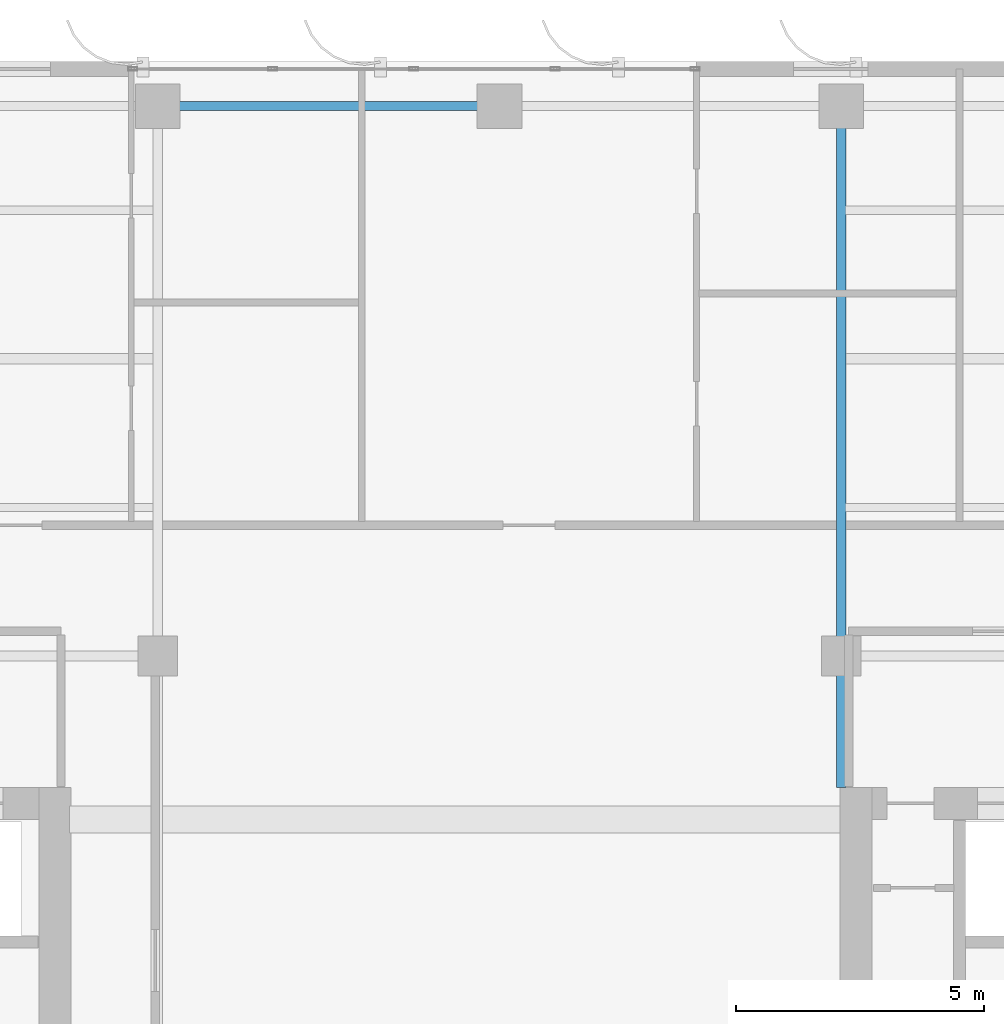
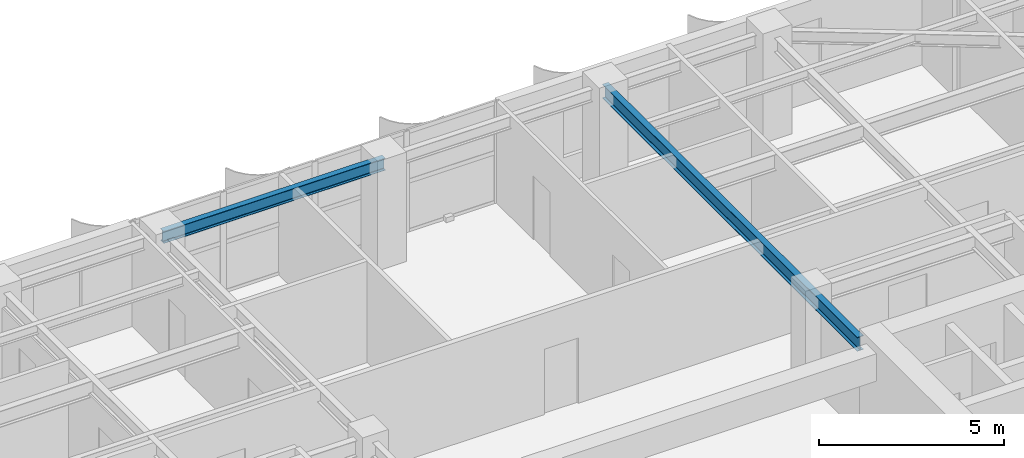
# One storey, part 12 of 22: 2 beams.
"""IFC4 building model written with IfcOpenShell, lengths in metres."""

from ifc_helpers import new_model, si_unit, direction, frame, origin, origin_2d, place, context, subcontext, project, spatial, i_section, extrude, source, transform, mapped, material, material_profile, profile_set, type_object, element, save


model = new_model("IFC4")

# Units and contexts
model_context = context("Model", 3, precision=1e-05, world=origin(), true_north=direction((0.0, 1.0)))
body_context = subcontext(model_context, "Body", "Model", "MODEL_VIEW")
ifc_project = project(units=[si_unit("LENGTHUNIT", "METRE"), si_unit("AREAUNIT", "SQUARE_METRE"), si_unit("VOLUMEUNIT", "CUBIC_METRE"), si_unit("PLANEANGLEUNIT", "RADIAN"), si_unit("MASSUNIT", "GRAM", prefix="KILO")], contexts=[model_context])

# Site, building, storey
site_placement = place(None, origin())
site = spatial("IfcSite", under=ifc_project, at=site_placement, CompositionType="ELEMENT")
building_placement = place(site_placement, origin())
building = spatial("IfcBuilding", under=site, at=building_placement, Name="Khoralis Quay Care Tower", CompositionType="ELEMENT")
storey_placement = place(building_placement, frame((0.0, 0.0, 180.89990234375)))
storey = spatial("IfcBuildingStorey", under=building, at=storey_placement, Name="L47", CompositionType="ELEMENT", Elevation=180.89990234375)

# Beams
ifc_material = material(Name="Steel S355", Category="steel")
ifc_material_profile_1 = material_profile(ifc_material, i_section(OverallWidth=0.179931640625, OverallDepth=0.39990234375, WebThickness=0.008544921875, FlangeThickness=0.013427734375, FilletRadius=0.02099609375, at=origin_2d()), Name="Steel S355")
ifc_profile_set_1 = profile_set([ifc_material_profile_1], Name="Steel S355")
beam_type_1 = type_object("IfcBeamType", Name="BM-IPE400", PredefinedType="SPANDREL", material=ifc_profile_set_1)
shared_shape_1 = source(origin(), body_context, "Body", "SweptSolid", [
    extrude(i_section(OverallWidth=0.179931640625, OverallDepth=0.39990234375, WebThickness=0.008544921875, FlangeThickness=0.013427734375, FilletRadius=0.02099609375, at=origin_2d()), origin(), (0.0, 0.0, 1.0), 6.89990234375),
])
beam_1_placement = place(storey_placement, frame((17.10009765625, 41.10009765625, 3.14013671875), z_axis=(1.0, 0.0, 0.0), x_axis=(0.0, 1.0, 0.0)))
element("IfcBeam", 1, at=beam_1_placement, inside=storey, type_object=beam_type_1, Name="BM-TSP-L47-06", PredefinedType="SPANDREL", context=body_context, shape_type="MappedRepresentation", body=[
    mapped(shared_shape_1, transform((0.0, 0.0, 0.0), scale=1.0)),
])
ifc_material_profile_2 = material_profile(ifc_material, i_section(OverallWidth=0.19189453125, OverallDepth=0.462890625, WebThickness=0.010498046875, FlangeThickness=0.017578125, FilletRadius=0.014892578125, at=origin_2d()), Name="Steel S355")
ifc_profile_set_2 = profile_set([ifc_material_profile_2], Name="Steel S355")
beam_type_2 = type_object("IfcBeamType", Name="BM-W460X89", PredefinedType="BEAM", material=ifc_profile_set_2)
shared_shape_2 = source(origin(), body_context, "Body", "SweptSolid", [
    extrude(i_section(OverallWidth=0.19189453125, OverallDepth=0.462890625, WebThickness=0.010498046875, FlangeThickness=0.017578125, FilletRadius=0.014892578125, at=origin_2d()), origin(), (0.0, 0.0, 1.0), 13.752197265625),
])
beam_2_placement = place(storey_placement, frame((30.89990234375, 27.347900390625, 3.108642578125), z_axis=(0.0, 1.0, 0.0), x_axis=(-1.0, 0.0, 0.0)))
element("IfcBeam", 2, at=beam_2_placement, inside=storey, type_object=beam_type_2, Name="BM-TGYN-L47-309", PredefinedType="BEAM", context=body_context, shape_type="MappedRepresentation", body=[
    mapped(shared_shape_2, transform((0.0, 0.0, 0.0), scale=1.0)),
])

save(model, "model.ifc")
